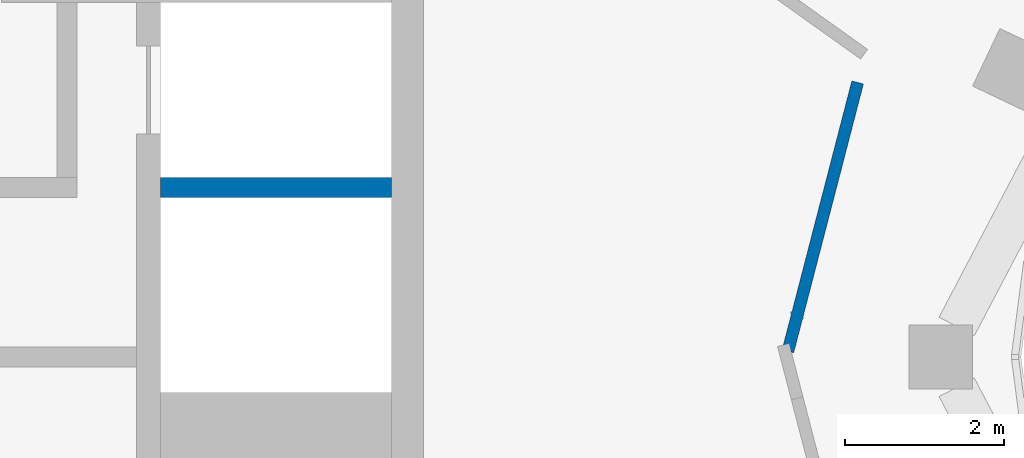
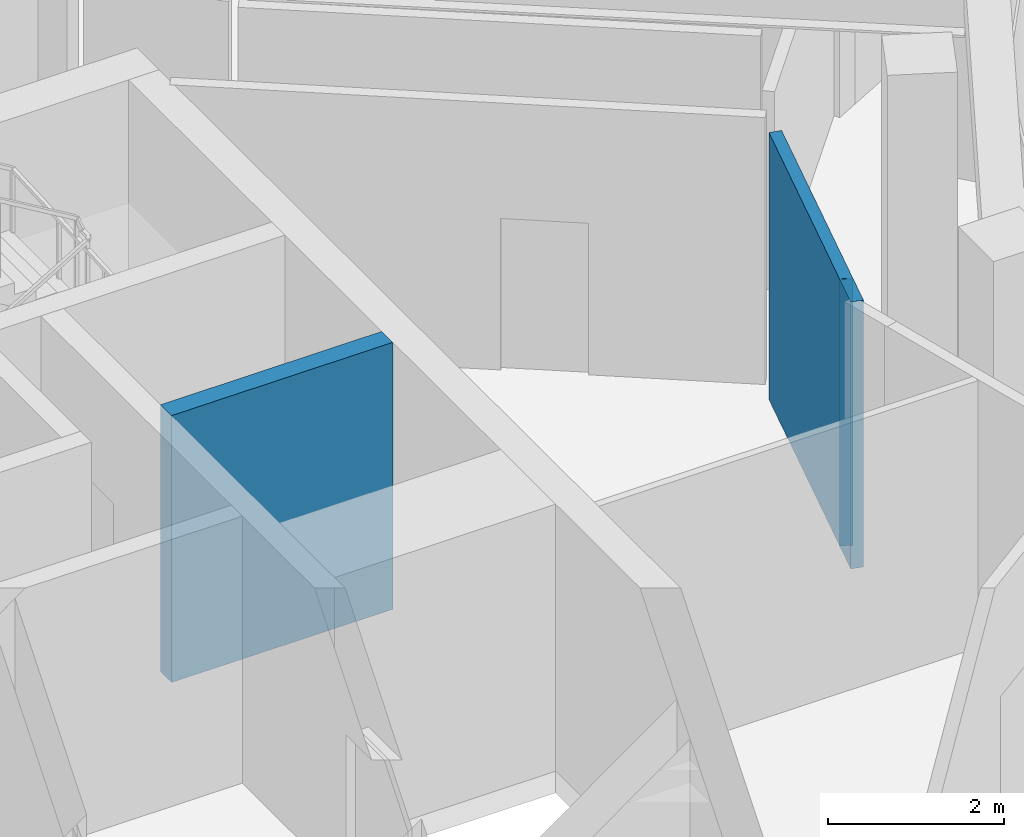
# One storey, part 5 of 18: 3 walls.
"""IFC4 building model written with IfcOpenShell, lengths in metres."""

from ifc_helpers import new_model, si_unit, direction, frame, frame_2d, origin, place, context, subcontext, project, spatial, rectangle, extrude, material, layer, layer_set, type_object, element, save


model = new_model("IFC4")

# Units and contexts
model_context = context("Model", 3, precision=1e-05, world=origin(), true_north=direction((0.0, 1.0)))
body_context = subcontext(model_context, "Body", "Model", "MODEL_VIEW")
ifc_project = project(units=[si_unit("LENGTHUNIT", "METRE"), si_unit("AREAUNIT", "SQUARE_METRE"), si_unit("VOLUMEUNIT", "CUBIC_METRE"), si_unit("PLANEANGLEUNIT", "RADIAN"), si_unit("MASSUNIT", "GRAM", prefix="KILO")], contexts=[model_context])

# Site, building, storey
site_placement = place(None, origin())
site = spatial("IfcSite", under=ifc_project, at=site_placement, CompositionType="ELEMENT")
building_placement = place(site_placement, origin())
building = spatial("IfcBuilding", under=site, at=building_placement, Name="Noorbagh Ring Tower", CompositionType="ELEMENT")
storey_placement = place(building_placement, frame((0.0, 0.0, 319.0)))
storey = spatial("IfcBuildingStorey", under=building, at=storey_placement, Name="L69", CompositionType="ELEMENT", Elevation=319.0)

# Walls
ifc_material_1 = material(Name="Concrete C50/60", Category="concrete")
ifc_layer_1 = layer(ifc_material_1, 0.25)
ifc_layer_set_1 = layer_set([ifc_layer_1], Name="Concrete C50/60")
wall_type_1 = type_object("IfcWallType", Name="CORE-WALL-250-C50-60-EI120", PredefinedType="SHEAR", material=ifc_layer_set_1)
wall_1_placement = place(storey_placement, frame((-16.89990234375, 2.125, 0.0), z_axis=(0.0, 0.0, 1.0), x_axis=(-1.0, 0.0, 0.0)))
element("IfcWall", 1, at=wall_1_placement, inside=storey, type_object=wall_type_1, Name="Core wall W", PredefinedType="SHEAR", context=body_context, shape_type="SweptSolid", body=[
    extrude(rectangle(XDim=2.900146484375, YDim=0.25, at=frame_2d((1.4501953125, 0.0))), origin(), (0.0, 0.0, 1.0), 3.699951171875),
])
ifc_material_2 = material(Name="Gypsum board on steel studs", Category="steel")
ifc_layer_2 = layer(ifc_material_2, 0.14990234375)
ifc_layer_set_2 = layer_set([ifc_layer_2], Name="Gypsum board on steel studs")
wall_type_2 = type_object("IfcWallType", Name="CORRIDOR PARTITION 150 EI 30", PredefinedType="PARTITIONING", material=ifc_layer_set_2)
wall_2_placement = place(storey_placement, frame((-11.81103515625, 0.51708984375, 0.0), z_axis=(0.0, 0.0, 1.0), x_axis=(0.4472135955, 0.894427191, 0.0)))
element("IfcWall", 2, at=wall_2_placement, inside=storey, type_object=wall_type_2, Name="L69/wall/P29", PredefinedType="PARTITIONING", context=body_context, shape_type="SweptSolid", body=[
    extrude(rectangle(XDim=0.002197265625, YDim=0.14990234375, at=frame_2d((0.0009765625, 0.0))), origin(), (0.0, 0.0, 1.0), 3.699951171875),
])
wall_3_placement = place(storey_placement, frame((-11.926025390625, 0.072021484375, 0.0), z_axis=(0.0, 0.0, 1.0), x_axis=(0.251098315815, 0.967961587975, 0.0)))
element("IfcWall", 3, at=wall_3_placement, inside=storey, type_object=wall_type_2, Name="L69/wall/P33", PredefinedType="PARTITIONING", context=body_context, shape_type="SweptSolid", body=[
    extrude(rectangle(XDim=3.484619140625, YDim=0.14990234375, at=frame_2d((1.7421875, 0.0))), origin(), (0.0, 0.0, 1.0), 3.699951171875),
])

save(model, "model.ifc")
